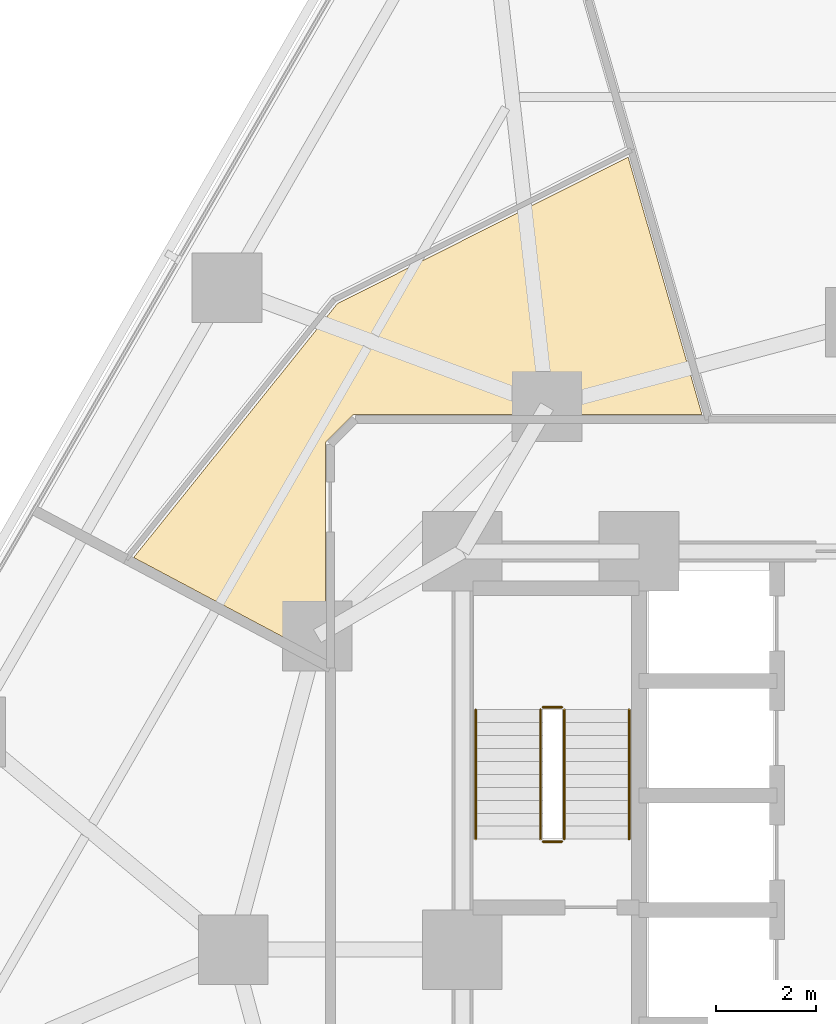
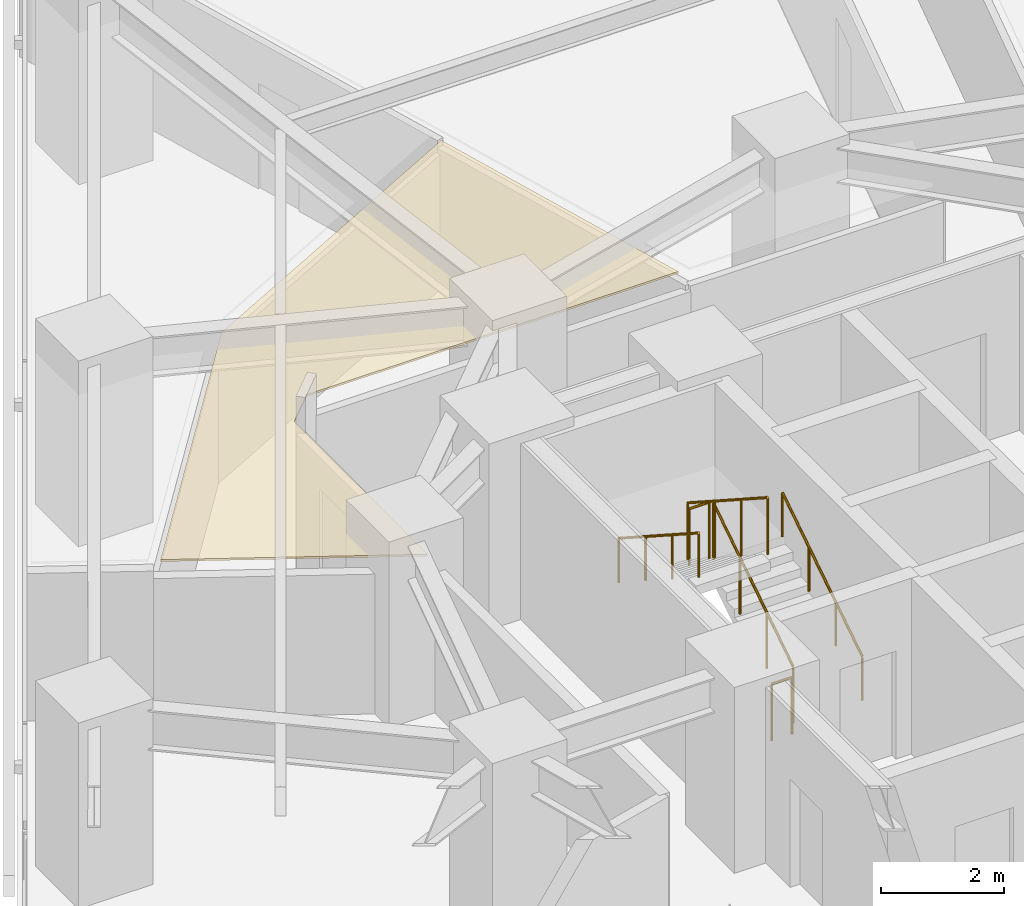
# One storey, part 14 of 16: 6 railings, 1 covering.
"""IFC4 building model written with IfcOpenShell, lengths in metres."""

from ifc_helpers import new_model, si_unit, direction, frame, origin, origin_2d, place, context, subcontext, project, spatial, polyline, circle, outline, extrude, material, layer, layer_set, type_object, element, save


model = new_model("IFC4")

# Units and contexts
model_context = context("Model", 3, precision=1e-05, world=origin(), true_north=direction((0.0, 1.0)))
body_context = subcontext(model_context, "Body", "Model", "MODEL_VIEW")
ifc_project = project(units=[si_unit("LENGTHUNIT", "METRE"), si_unit("AREAUNIT", "SQUARE_METRE"), si_unit("VOLUMEUNIT", "CUBIC_METRE"), si_unit("PLANEANGLEUNIT", "RADIAN"), si_unit("MASSUNIT", "GRAM", prefix="KILO")], contexts=[model_context])

# Site, building, storey
site_placement = place(None, origin())
site = spatial("IfcSite", under=ifc_project, at=site_placement, CompositionType="ELEMENT")
building_placement = place(site_placement, origin())
building = spatial("IfcBuilding", under=site, at=building_placement, Name="Terralouvre Media Tower", CompositionType="ELEMENT")
storey_placement = place(building_placement, frame((0.0, 0.0, 37.10009765625)))
storey = spatial("IfcBuildingStorey", under=building, at=storey_placement, Name="L08", CompositionType="ELEMENT", Elevation=37.10009765625)

# Covering
ifc_material_1 = material(Name="Perforated aluminium acoustic ceiling baffle", Category="aluminium")
ifc_layer_1 = layer(ifc_material_1, 0.0400390625, Name="Perforated Acoustic Metal Tile Ceiling CL-AC1")
ifc_layer_set_1 = layer_set([ifc_layer_1], Name="Perforated aluminium acoustic ceiling baffle")
covering_type = type_object("IfcCoveringType", Name="Perforated Acoustic Metal Tile Ceiling CL-AC1", PredefinedType="CEILING", material=ifc_layer_set_1)
covering_placement = place(storey_placement, frame((0.0, 0.0, 2.97998046875)))
element("IfcCovering", 1, at=covering_placement, inside=storey, type_object=covering_type, Name="L08 Technical Operations Control Room 12 Acoustic Ceiling", PredefinedType="CEILING", context=body_context, shape_type="SweptSolid", body=[
    extrude(outline(polyline([(-10.508544921875, 12.9765625), (-14.601318359375, 7.876708984375), (-10.75, 5.829345703125), (-10.75, 10.14990234375), (-10.74951171875, 10.159912109375), (-10.748046875, 10.16943359375), (-10.74560546875, 10.178955078125), (-10.742431640625, 10.188232421875), (-10.73828125, 10.197021484375), (-10.733154296875, 10.20556640625), (-10.727294921875, 10.21337890625), (-10.720703125, 10.220703125), (-10.220703125, 10.720703125), (-10.21337890625, 10.727294921875), (-10.20556640625, 10.733154296875), (-10.197021484375, 10.73828125), (-10.188232421875, 10.742431640625), (-10.178955078125, 10.74560546875), (-10.16943359375, 10.748046875), (-10.159912109375, 10.74951171875), (-10.14990234375, 10.75), (-3.186767578125, 10.75), (-4.668701171875, 15.91943359375), (-10.508544921875, 12.9765625)])), origin(), (0.0, 0.0, 1.0), 0.0400390625),
])

# Railings
ifc_material_2 = material(Name="Stainless steel 316 handrail and balustrade", Category="steel")
ifc_layer_2 = layer(ifc_material_2, 0.050048828125, Name="Stair Flight Wall Handrail HR-INT1")
ifc_layer_set_2 = layer_set([ifc_layer_2], Name="Stainless steel 316 handrail and balustrade")
railing_type_1 = type_object("IfcRailingType", Name="Stair Flight Wall Handrail HR-INT1", PredefinedType="HANDRAIL", material=ifc_layer_set_2)
railing_1_placement = place(storey_placement, frame((-4.64990234375, 2.219970703125, 0.16796875)))
element("IfcRailing", 2, at=railing_1_placement, inside=storey, type_object=railing_type_1, Name="L08 ST-01 stair handrail 1", PredefinedType="HANDRAIL", context=body_context, shape_type="SweptSolid", body=[
    extrude(circle(Radius=0.02392578125, at=origin_2d()), frame((0.0, 0.0, 0.8759765625), z_axis=(0.0, 0.839648411786, 0.543130320075), x_axis=(-1.0, 0.0, 0.0)), (0.0, 0.0, 1.0), 3.0966796875),
    extrude(circle(Radius=0.02099609375, at=origin_2d()), origin(), (0.0, 0.0, 1.0), 0.851806640625),
    extrude(circle(Radius=0.02099609375, at=origin_2d()), frame((0.0, 0.86669921875, 0.560546875)), (0.0, 0.0, 1.0), 0.851806640625),
    extrude(circle(Radius=0.02099609375, at=origin_2d()), frame((0.0, 1.7333984375, 1.121337890625)), (0.0, 0.0, 1.0), 0.851806640625),
    extrude(circle(Radius=0.02099609375, at=origin_2d()), frame((0.0, 2.60009765625, 1.681884765625)), (0.0, 0.0, 1.0), 0.851806640625),
])
railing_2_placement = place(storey_placement, frame((-7.72998046875, 4.820068359375, 2.01806640625)))
element("IfcRailing", 3, at=railing_2_placement, inside=storey, type_object=railing_type_1, Name="L08 ST-01 stair handrail 2", PredefinedType="HANDRAIL", context=body_context, shape_type="SweptSolid", body=[
    extrude(circle(Radius=0.02392578125, at=origin_2d()), frame((0.0, 0.0, 0.8759765625), z_axis=(0.0, -0.839648411786, 0.543130320075), x_axis=(1.0, 0.0, 0.0)), (0.0, 0.0, 1.0), 3.0966796875),
    extrude(circle(Radius=0.02099609375, at=origin_2d()), origin(), (0.0, 0.0, 1.0), 0.851806640625),
    extrude(circle(Radius=0.02099609375, at=origin_2d()), frame((0.0, -0.86669921875, 0.560546875)), (0.0, 0.0, 1.0), 0.851806640625),
    extrude(circle(Radius=0.02099609375, at=origin_2d()), frame((0.0, -1.7333984375, 1.121337890625)), (0.0, 0.0, 1.0), 0.851806640625),
    extrude(circle(Radius=0.02099609375, at=origin_2d()), frame((0.0, -2.60009765625, 1.681884765625)), (0.0, 0.0, 1.0), 0.851806640625),
])
ifc_material_3 = material(Name="Stainless steel 316 handrail and balustrade", Category="steel")
ifc_layer_3 = layer(ifc_material_3, 0.050048828125, Name="Stairwell Safety Guardrail GR-INT1")
ifc_layer_set_3 = layer_set([ifc_layer_3], Name="Stainless steel 316 handrail and balustrade")
railing_type_2 = type_object("IfcRailingType", Name="Stairwell Safety Guardrail GR-INT1", PredefinedType="GUARDRAIL", material=ifc_layer_set_3)
railing_3_placement = place(storey_placement, frame((-5.949951171875, 2.219970703125, 0.16796875)))
element("IfcRailing", 4, at=railing_3_placement, inside=storey, type_object=railing_type_2, Name="L08 ST-01 stair guard 1", PredefinedType="GUARDRAIL", context=body_context, shape_type="SweptSolid", body=[
    extrude(circle(Radius=0.02392578125, at=origin_2d()), frame((0.0, 0.0, 1.1259765625), z_axis=(0.0, 0.839648411786, 0.543130320075), x_axis=(-1.0, 0.0, 0.0)), (0.0, 0.0, 1.0), 3.0966796875),
    extrude(circle(Radius=0.02099609375, at=origin_2d()), origin(), (0.0, 0.0, 1.0), 1.101806640625),
    extrude(circle(Radius=0.02099609375, at=origin_2d()), frame((0.0, 0.86669921875, 0.560546875)), (0.0, 0.0, 1.0), 1.101806640625),
    extrude(circle(Radius=0.02099609375, at=origin_2d()), frame((0.0, 1.7333984375, 1.121337890625)), (0.0, 0.0, 1.0), 1.101806640625),
    extrude(circle(Radius=0.02099609375, at=origin_2d()), frame((0.0, 2.60009765625, 1.681884765625)), (0.0, 0.0, 1.0), 1.101806640625),
])
railing_4_placement = place(storey_placement, frame((-6.0, 4.8701171875, 1.849853515625)))
element("IfcRailing", 5, at=railing_4_placement, inside=storey, type_object=railing_type_2, Name="L08 ST-01 stair guard 2", PredefinedType="GUARDRAIL", context=body_context, shape_type="SweptSolid", body=[
    extrude(circle(Radius=0.02392578125, at=origin_2d()), frame((0.0, 0.0, 1.1259765625), z_axis=(-1.0, 0.0, 0.0), x_axis=(0.0, -1.0, 0.0)), (0.0, 0.0, 1.0), 0.3798828125),
    extrude(circle(Radius=0.02099609375, at=origin_2d()), origin(), (0.0, 0.0, 1.0), 1.101806640625),
    extrude(circle(Radius=0.02099609375, at=origin_2d()), frame((-0.3798828125, 0.0, 0.0)), (0.0, 0.0, 1.0), 1.101806640625),
])
railing_5_placement = place(storey_placement, frame((-6.429931640625, 4.820068359375, 2.01806640625)))
element("IfcRailing", 6, at=railing_5_placement, inside=storey, type_object=railing_type_2, Name="L08 ST-01 stair guard 3", PredefinedType="GUARDRAIL", context=body_context, shape_type="SweptSolid", body=[
    extrude(circle(Radius=0.02392578125, at=origin_2d()), frame((0.0, 0.0, 1.1259765625), z_axis=(0.0, -0.839648411786, 0.543130320075), x_axis=(1.0, 0.0, 0.0)), (0.0, 0.0, 1.0), 3.0966796875),
    extrude(circle(Radius=0.02099609375, at=origin_2d()), origin(), (0.0, 0.0, 1.0), 1.101806640625),
    extrude(circle(Radius=0.02099609375, at=origin_2d()), frame((0.0, -0.86669921875, 0.560546875)), (0.0, 0.0, 1.0), 1.101806640625),
    extrude(circle(Radius=0.02099609375, at=origin_2d()), frame((0.0, -1.7333984375, 1.121337890625)), (0.0, 0.0, 1.0), 1.101806640625),
    extrude(circle(Radius=0.02099609375, at=origin_2d()), frame((0.0, -2.60009765625, 1.681884765625)), (0.0, 0.0, 1.0), 1.101806640625),
])
railing_6_placement = place(storey_placement, frame((-6.0, 2.169921875, 0.0)))
element("IfcRailing", 7, at=railing_6_placement, inside=storey, type_object=railing_type_2, Name="L08 ST-01 stair guard 4", PredefinedType="GUARDRAIL", context=body_context, shape_type="SweptSolid", body=[
    extrude(circle(Radius=0.02392578125, at=origin_2d()), frame((0.0, 0.0, 1.1259765625), z_axis=(-1.0, 0.0, 0.0), x_axis=(0.0, -1.0, 0.0)), (0.0, 0.0, 1.0), 0.3798828125),
    extrude(circle(Radius=0.02099609375, at=origin_2d()), origin(), (0.0, 0.0, 1.0), 1.101806640625),
    extrude(circle(Radius=0.02099609375, at=origin_2d()), frame((-0.3798828125, 0.0, 0.0)), (0.0, 0.0, 1.0), 1.101806640625),
])

save(model, "model.ifc")
